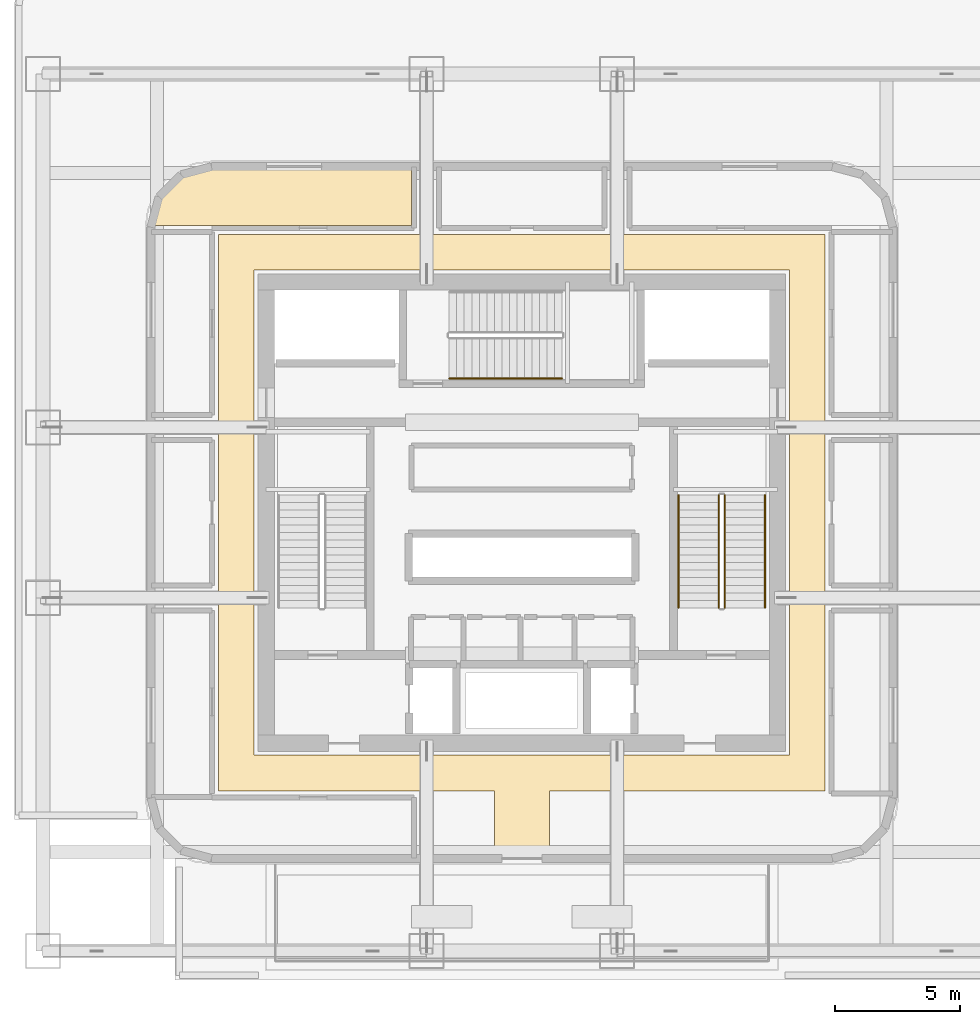
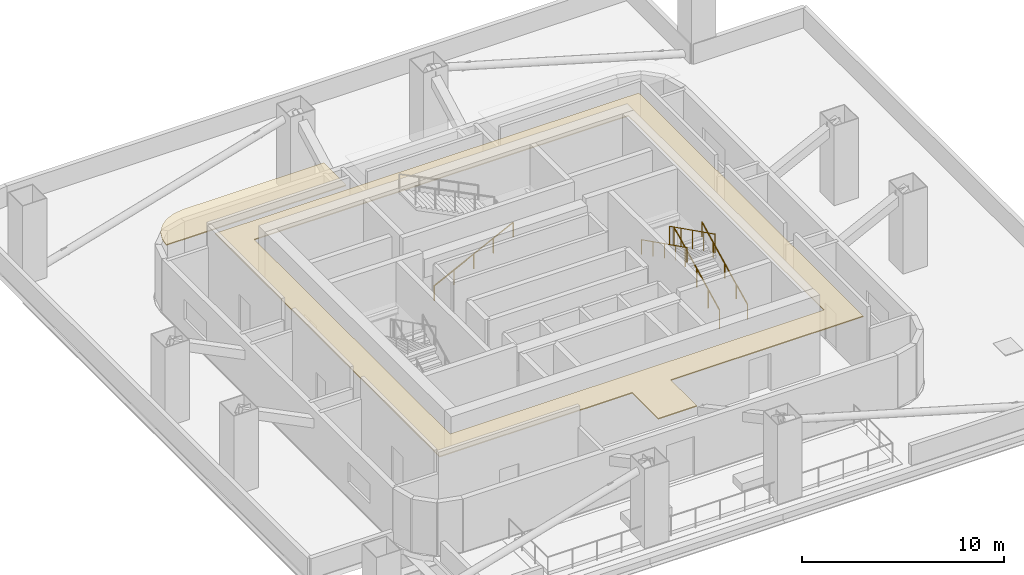
# One storey, part 9 of 10: 5 railings, 2 coverings.
"""IFC4 building model written with IfcOpenShell, lengths in metres."""

import ifcopenshell
import ifcopenshell.guid

model = None  # the IFC model being written
_history = None  # IfcOwnerHistory: only IFC2X3 demands one
_inside = {}  # id of a spatial element -> (the spatial element, [elements in it])
_under = {}  # id of a project, library or spatial element -> (it, [spatial elements below it])
_declared = {}  # id of a project -> (the project, [libraries it declares])
_typed = {}  # id of a type object -> (the type object, [elements of that type])
_made_of = {}  # id of a material, layer set ... -> (it, [elements and type objects made of it])


def new_model(schema):
    """Start an empty IFC model of exactly this schema.

    Asked for "IFC4X3", IfcOpenShell would pick the latest addendum, in which some entities
    have other attributes; the version numbers below select the first issue.
    IFC2X3 requires an IfcOwnerHistory on every rooted entity: one is made here for all.
    """
    global model, _history
    if schema == "IFC4X3":
        model = ifcopenshell.file(schema_version=(4, 3, 0, 0))
    else:
        model = ifcopenshell.file(schema=schema)
    _inside.clear()
    _under.clear()
    _declared.clear()
    _typed.clear()
    _made_of.clear()
    _history = None
    if model.schema == "IFC2X3":
        org = make("IfcOrganization", Name="unknown")
        user = make(
            "IfcPersonAndOrganization",
            ThePerson=make("IfcPerson", FamilyName="unknown"),
            TheOrganization=org,
        )
        app = make(
            "IfcApplication",
            ApplicationDeveloper=org,
            Version="unknown",
            ApplicationFullName="unknown",
            ApplicationIdentifier="unknown",
        )
        _history = make(
            "IfcOwnerHistory",
            OwningUser=user,
            OwningApplication=app,
            ChangeAction="ADDED",
            CreationDate=0,
        )
    return model


def make(cls, **values):
    """One entity of the class cls with the attributes given. An attribute that is None is left unset."""
    return model.create_entity(
        cls, **{name: value for name, value in values.items() if value is not None}
    )


def rooted(cls, **values):
    """An entity with a GlobalId (a new one), such as an element, a storey or a relation."""
    return make(cls, GlobalId=ifcopenshell.guid.new(), OwnerHistory=_history, **values)


def si_unit(unit_type, name, prefix=None):
    """IfcSIUnit, for example si_unit("LENGTHUNIT", "METRE", prefix="MILLI")."""
    return make("IfcSIUnit", UnitType=unit_type, Prefix=prefix, Name=name)


def assignment(units):
    """IfcUnitAssignment: the units of a project."""
    return None if units is None else make("IfcUnitAssignment", Units=units)


def point(xyz):
    """IfcCartesianPoint."""
    return None if xyz is None else make("IfcCartesianPoint", Coordinates=xyz)


def direction(xyz):
    """IfcDirection."""
    return None if xyz is None else make("IfcDirection", DirectionRatios=xyz)


def frame(location, z_axis=None, x_axis=None):
    """IfcAxis2Placement3D, a coordinate frame: its origin and axes. An axis left out is left unset."""
    return make(
        "IfcAxis2Placement3D",
        Location=point(location),
        Axis=direction(z_axis),
        RefDirection=direction(x_axis),
    )


def frame_2d(location, x_axis=None):
    """IfcAxis2Placement2D, a coordinate frame in the plane: its origin and x axis."""
    return make(
        "IfcAxis2Placement2D", Location=point(location), RefDirection=direction(x_axis)
    )


def origin():
    """The frame at (0, 0, 0) with its axes left unset."""
    return frame((0.0, 0.0, 0.0))


def origin_2d():
    """The frame at (0, 0) in the plane with its x axis left unset."""
    return frame_2d((0.0, 0.0))


def place(relative_to, where):
    """IfcLocalPlacement: puts the frame where relative to a parent placement (None: the world)."""
    return make(
        "IfcLocalPlacement", PlacementRelTo=relative_to, RelativePlacement=where
    )


def context(
    kind, dimensions, precision=None, world=None, true_north=None, identifier=None
):
    """IfcGeometricRepresentationContext, for example the 3D "Model" context."""
    return make(
        "IfcGeometricRepresentationContext",
        ContextIdentifier=identifier,
        ContextType=kind,
        CoordinateSpaceDimension=dimensions,
        Precision=precision,
        WorldCoordinateSystem=world,
        TrueNorth=true_north,
    )


def subcontext(parent, identifier, kind, view, scale=None):
    """IfcGeometricRepresentationSubContext, for example "Body" below "Model"."""
    return make(
        "IfcGeometricRepresentationSubContext",
        ContextIdentifier=identifier,
        ContextType=kind,
        ParentContext=parent,
        TargetScale=scale,
        TargetView=view,
    )


def project(units=None, contexts=None):
    """IfcProject with its units and contexts."""
    return rooted(
        "IfcProject",
        Name="project",
        RepresentationContexts=contexts,
        UnitsInContext=assignment(units),
    )


def spatial(cls, under=None, at=None, **own):
    """A site, building, storey or space (cls), placed at a placement, below another one or the project."""
    s = rooted(cls, ObjectPlacement=at, **own)
    if under is not None:
        _under.setdefault(under.id(), (under, []))[1].append(s)
    return s


def polyline(points):
    """IfcPolyline through the points."""
    return make("IfcPolyline", Points=[point(p) for p in points])


def profile(cls, at=None, kind="AREA", **sizes):
    """A parametric profile (cls). Its sizes go by their IFC names, for example OverallWidth=200.0."""
    return make(cls, ProfileType=kind, Position=at, **sizes)


def circle(**sizes):
    """IfcCircleProfileDef."""
    return profile("IfcCircleProfileDef", **sizes)


def outline(outer, holes=None, kind="AREA"):
    """IfcArbitraryClosedProfileDef: a profile drawn as a closed curve; with holes, ...WithVoids."""
    if holes is None:
        return make("IfcArbitraryClosedProfileDef", ProfileType=kind, OuterCurve=outer)
    return make(
        "IfcArbitraryProfileDefWithVoids",
        ProfileType=kind,
        OuterCurve=outer,
        InnerCurves=holes,
    )


def extrude(swept, where, along, depth):
    """IfcExtrudedAreaSolid: the profile swept, set in the frame where, extruded along a direction by depth."""
    return make(
        "IfcExtrudedAreaSolid",
        SweptArea=swept,
        Position=where,
        ExtrudedDirection=direction(along),
        Depth=depth,
    )


def shape(context_of_items, identifier, shape_type, items):
    """IfcShapeRepresentation: the items that make up one representation, for example the "Body"."""
    return make(
        "IfcShapeRepresentation",
        ContextOfItems=context_of_items,
        RepresentationIdentifier=identifier,
        RepresentationType=shape_type,
        Items=items,
    )


def material(Name=None, Category=None):
    """IfcMaterial."""
    return make("IfcMaterial", Name=Name, Category=Category)


def layer(
    of_material, thickness, ventilated=None, Name=None, Category=None, Priority=None
):
    """IfcMaterialLayer: one layer of a wall or slab, of a material (None: an air gap)."""
    return make(
        "IfcMaterialLayer",
        Material=of_material,
        LayerThickness=thickness,
        IsVentilated=ventilated,
        Name=Name,
        Category=Category,
        Priority=Priority,
    )


def layer_set(layers, Name=None):
    """IfcMaterialLayerSet."""
    return make("IfcMaterialLayerSet", MaterialLayers=layers, LayerSetName=Name)


def made_of(thing, what):
    """Note that an element or type object is made of a material, layer set ...; save() writes the relation."""
    if what is not None:
        _made_of.setdefault(what.id(), (what, []))[1].append(thing)
    return thing


def type_object(cls, material=None, **own):
    """A type object (cls), such as IfcWallType, which elements share."""
    return made_of(rooted(cls, **own), material)


def element(
    cls,
    number,
    at=None,
    inside=None,
    cuts=None,
    type_object=None,
    material=None,
    context=None,
    identifier="Body",
    shape_type=None,
    held_by="IfcProductDefinitionShape",
    body=None,
    shapes=None,
    **own,
):
    """One element of the class cls, such as IfcWall. Its Tag is "e" and its number.

    at: its placement. inside: the storey or other place that contains it. cuts: it is an
    opening in that element (IfcRelVoidsElement). A single representation is given by context,
    identifier, shape_type and body (its items); several are given by shapes. held_by: the class
    of the entity that holds the representations. save() writes the other relations.
    """
    e = rooted(cls, Tag="e%d" % number, ObjectPlacement=at, **own)
    if body is not None:
        shapes = [shape(context, identifier, shape_type, body)]
    if shapes is not None:
        e.Representation = make(held_by, Representations=shapes)
    if inside is not None:
        _inside.setdefault(inside.id(), (inside, []))[1].append(e)
    if cuts is not None:
        rooted(
            "IfcRelVoidsElement", RelatingBuildingElement=cuts, RelatedOpeningElement=e
        )
    if type_object is not None:
        _typed.setdefault(type_object.id(), (type_object, []))[1].append(e)
    return made_of(e, material)


def aggregate(whole, parts):
    """IfcRelAggregates: a whole, such as a stair, and the parts it consists of."""
    return rooted("IfcRelAggregates", RelatingObject=whole, RelatedObjects=parts)


def save(model, path):
    """Write the relations noted so far, then the file.

    IfcRelAggregates (storeys below a building ...), IfcRelContainedInSpatialStructure (elements
    in a storey), IfcRelDefinesByType, IfcRelAssociatesMaterial and IfcRelDeclares: one each for
    every whole, place, type object, material and project.
    """
    for whole, parts in _under.values():
        aggregate(whole, parts)
    for where, things in _inside.values():
        rooted(
            "IfcRelContainedInSpatialStructure",
            RelatedElements=things,
            RelatingStructure=where,
        )
    for kind, things in _typed.values():
        rooted("IfcRelDefinesByType", RelatedObjects=things, RelatingType=kind)
    for what, things in _made_of.values():
        rooted("IfcRelAssociatesMaterial", RelatedObjects=things, RelatingMaterial=what)
    for by, libraries in _declared.values():
        rooted("IfcRelDeclares", RelatingContext=by, RelatedDefinitions=libraries)
    model.write(path)


model = new_model("IFC4")

# Units and contexts
model_context = context("Model", 3, precision=1e-05, world=origin(), true_north=direction((0.0, 1.0)))
body_context = subcontext(model_context, "Body", "Model", "MODEL_VIEW")
ifc_project = project(units=[si_unit("LENGTHUNIT", "METRE"), si_unit("AREAUNIT", "SQUARE_METRE"), si_unit("VOLUMEUNIT", "CUBIC_METRE"), si_unit("PLANEANGLEUNIT", "RADIAN"), si_unit("MASSUNIT", "GRAM", prefix="KILO")], contexts=[model_context])

# Site, building, storey
site_placement = place(None, origin())
site = spatial("IfcSite", under=ifc_project, at=site_placement, CompositionType="ELEMENT")
building_placement = place(site_placement, origin())
building = spatial("IfcBuilding", under=site, at=building_placement, Name="Punatoya Terracotta Tower", CompositionType="ELEMENT")
storey_placement = place(building_placement, frame((0.0, 0.0, 125.39990234375)))
storey = spatial("IfcBuildingStorey", under=building, at=storey_placement, Name="L29", CompositionType="ELEMENT", Elevation=125.39990234375)

# Coverings
ifc_material_1 = material(Name="Acoustic Mineral Fibre Ceiling")
ifc_layer = layer(ifc_material_1, 0.06005859375)
ifc_layer_set = layer_set([ifc_layer], Name="Acoustic Mineral Fibre Ceiling")
covering_type = type_object("IfcCoveringType", Name="COV-CEIL-60", PredefinedType="CEILING", material=ifc_layer_set)
covering_1_placement = place(storey_placement, frame((0.0, 0.0, 3.8701171875)))
element("IfcCovering", 1, at=covering_1_placement, inside=storey, type_object=covering_type, Name="L29 Plant and Pressurized Refuge Ring Corridor Acoustic Ceiling", PredefinedType="CEILING", context=body_context, shape_type="SweptSolid", body=[
    extrude(outline(polyline([(12.10009765625, -11.10009765625), (12.10009765625, 11.10009765625), (-12.10009765625, 11.10009765625), (-12.10009765625, -11.10009765625), (-1.10009765625, -11.10009765625), (-1.10009765625, -13.679931640625), (1.10009765625, -13.679931640625), (1.10009765625, -11.10009765625), (12.10009765625, -11.10009765625)]), holes=[polyline([(10.679931640625, -9.679931640625), (-10.679931640625, -9.679931640625), (-10.679931640625, 9.679931640625), (10.679931640625, 9.679931640625), (10.679931640625, -9.679931640625)])]), origin(), (0.0, 0.0, 1.0), 0.06005859375),
])
covering_2_placement = place(storey_placement, frame((0.0, 0.0, 3.8701171875)))
element("IfcCovering", 2, at=covering_2_placement, inside=storey, type_object=covering_type, Name="L29 Designated Pressurized Refuge Area North (West Bay) Acoustic Ceiling", PredefinedType="CEILING", context=body_context, shape_type="SweptSolid", body=[
    extrude(outline(polyline([(-14.599609375, 11.989501953125), (-14.670654296875, 11.449951171875), (-12.4599609375, 11.449951171875), (-4.39990234375, 11.4599609375), (-4.39990234375, 13.679931640625), (-12.37890625, 13.679931640625), (-12.989501953125, 13.599609375), (-13.53857421875, 13.372314453125), (-14.01025390625, 13.01025390625), (-14.372314453125, 12.53857421875), (-14.599609375, 11.989501953125)])), origin(), (0.0, 0.0, 1.0), 0.06005859375),
])

# Railings
ifc_material_2 = material(Name="Steel S355", Category="steel")
railing_type_1 = type_object("IfcRailingType", Name="RLG-GRD-1150", PredefinedType="GUARDRAIL", material=ifc_material_2)
railing_1_placement = place(storey_placement, frame((8.10009765625, -3.800048828125, 0.150146484375)))
element("IfcRailing", 3, at=railing_1_placement, inside=storey, type_object=railing_type_1, Name="L29 ST-2 stair guard 1", PredefinedType="GUARDRAIL", context=body_context, shape_type="SweptSolid", body=[
    extrude(circle(Radius=0.02392578125, at=origin_2d()), frame((0.0, 0.0, 1.1259765625), z_axis=(0.0, 0.894427191, 0.4472135955), x_axis=(-1.0, 0.0, 0.0)), (0.0, 0.0, 1.0), 5.03125),
    extrude(circle(Radius=0.02099609375, at=origin_2d()), origin(), (0.0, 0.0, 1.0), 1.101806640625),
    extrude(circle(Radius=0.02099609375, at=origin_2d()), frame((0.0, 1.125, 0.5625)), (0.0, 0.0, 1.0), 1.101806640625),
    extrude(circle(Radius=0.02099609375, at=origin_2d()), frame((0.0, 2.25, 1.125)), (0.0, 0.0, 1.0), 1.101806640625),
    extrude(circle(Radius=0.02099609375, at=origin_2d()), frame((0.0, 3.375, 1.6875)), (0.0, 0.0, 1.0), 1.101806640625),
    extrude(circle(Radius=0.02099609375, at=origin_2d()), frame((0.0, 4.5, 2.25)), (0.0, 0.0, 1.0), 1.101806640625),
])
railing_2_placement = place(storey_placement, frame((7.85009765625, 0.699951171875, 2.550048828125)))
element("IfcRailing", 4, at=railing_2_placement, inside=storey, type_object=railing_type_1, Name="L29 ST-2 stair guard 3", PredefinedType="GUARDRAIL", context=body_context, shape_type="SweptSolid", body=[
    extrude(circle(Radius=0.02392578125, at=origin_2d()), frame((0.0, 0.0, 1.1259765625), z_axis=(0.0, -0.894427191, 0.4472135955), x_axis=(1.0, 0.0, 0.0)), (0.0, 0.0, 1.0), 5.03125),
    extrude(circle(Radius=0.02099609375, at=origin_2d()), origin(), (0.0, 0.0, 1.0), 1.101806640625),
    extrude(circle(Radius=0.02099609375, at=origin_2d()), frame((0.0, -1.125, 0.5625)), (0.0, 0.0, 1.0), 1.101806640625),
    extrude(circle(Radius=0.02099609375, at=origin_2d()), frame((0.0, -2.25, 1.125)), (0.0, 0.0, 1.0), 1.101806640625),
    extrude(circle(Radius=0.02099609375, at=origin_2d()), frame((0.0, -3.375, 1.6875)), (0.0, 0.0, 1.0), 1.101806640625),
    extrude(circle(Radius=0.02099609375, at=origin_2d()), frame((0.0, -4.5, 2.25)), (0.0, 0.0, 1.0), 1.101806640625),
])
railing_type_2 = type_object("IfcRailingType", Name="RLG-HND-900", PredefinedType="HANDRAIL", material=ifc_material_2)
railing_3_placement = place(storey_placement, frame((9.699951171875, -3.800048828125, 0.150146484375)))
element("IfcRailing", 5, at=railing_3_placement, inside=storey, type_object=railing_type_2, Name="L29 ST-2 stair handrail 1", PredefinedType="HANDRAIL", context=body_context, shape_type="SweptSolid", body=[
    extrude(circle(Radius=0.02392578125, at=origin_2d()), frame((0.0, 0.0, 0.8759765625), z_axis=(0.0, 0.894427191, 0.4472135955), x_axis=(-1.0, 0.0, 0.0)), (0.0, 0.0, 1.0), 5.03125),
    extrude(circle(Radius=0.02099609375, at=origin_2d()), origin(), (0.0, 0.0, 1.0), 0.851806640625),
    extrude(circle(Radius=0.02099609375, at=origin_2d()), frame((0.0, 1.125, 0.5625)), (0.0, 0.0, 1.0), 0.851806640625),
    extrude(circle(Radius=0.02099609375, at=origin_2d()), frame((0.0, 2.25, 1.125)), (0.0, 0.0, 1.0), 0.851806640625),
    extrude(circle(Radius=0.02099609375, at=origin_2d()), frame((0.0, 3.375, 1.6875)), (0.0, 0.0, 1.0), 0.851806640625),
    extrude(circle(Radius=0.02099609375, at=origin_2d()), frame((0.0, 4.5, 2.25)), (0.0, 0.0, 1.0), 0.851806640625),
])
railing_4_placement = place(storey_placement, frame((6.25, 0.699951171875, 2.550048828125)))
element("IfcRailing", 6, at=railing_4_placement, inside=storey, type_object=railing_type_2, Name="L29 ST-2 stair handrail 2", PredefinedType="HANDRAIL", context=body_context, shape_type="SweptSolid", body=[
    extrude(circle(Radius=0.02392578125, at=origin_2d()), frame((0.0, 0.0, 0.8759765625), z_axis=(0.0, -0.894427191, 0.4472135955), x_axis=(1.0, 0.0, 0.0)), (0.0, 0.0, 1.0), 5.03125),
    extrude(circle(Radius=0.02099609375, at=origin_2d()), origin(), (0.0, 0.0, 1.0), 0.851806640625),
    extrude(circle(Radius=0.02099609375, at=origin_2d()), frame((0.0, -1.125, 0.5625)), (0.0, 0.0, 1.0), 0.851806640625),
    extrude(circle(Radius=0.02099609375, at=origin_2d()), frame((0.0, -2.25, 1.125)), (0.0, 0.0, 1.0), 0.851806640625),
    extrude(circle(Radius=0.02099609375, at=origin_2d()), frame((0.0, -3.375, 1.6875)), (0.0, 0.0, 1.0), 0.851806640625),
    extrude(circle(Radius=0.02099609375, at=origin_2d()), frame((0.0, -4.5, 2.25)), (0.0, 0.0, 1.0), 0.851806640625),
])
railing_5_placement = place(storey_placement, frame((-2.89990234375, 5.35009765625, 0.150146484375)))
element("IfcRailing", 7, at=railing_5_placement, inside=storey, type_object=railing_type_2, Name="L29 ST-3 stair handrail 1", PredefinedType="HANDRAIL", context=body_context, shape_type="SweptSolid", body=[
    extrude(circle(Radius=0.02392578125, at=origin_2d()), frame((0.0, 0.0, 0.8759765625), z_axis=(0.894427191, 0.0, 0.4472135955), x_axis=(0.0, 1.0, 0.0)), (0.0, 0.0, 1.0), 5.03125),
    extrude(circle(Radius=0.02099609375, at=origin_2d()), origin(), (0.0, 0.0, 1.0), 0.851806640625),
    extrude(circle(Radius=0.02099609375, at=origin_2d()), frame((1.125, 0.0, 0.5625)), (0.0, 0.0, 1.0), 0.851806640625),
    extrude(circle(Radius=0.02099609375, at=origin_2d()), frame((2.25, 0.0, 1.125)), (0.0, 0.0, 1.0), 0.851806640625),
    extrude(circle(Radius=0.02099609375, at=origin_2d()), frame((3.375, 0.0, 1.6875)), (0.0, 0.0, 1.0), 0.851806640625),
    extrude(circle(Radius=0.02099609375, at=origin_2d()), frame((4.5, 0.0, 2.25)), (0.0, 0.0, 1.0), 0.851806640625),
])

save(model, "model.ifc")
